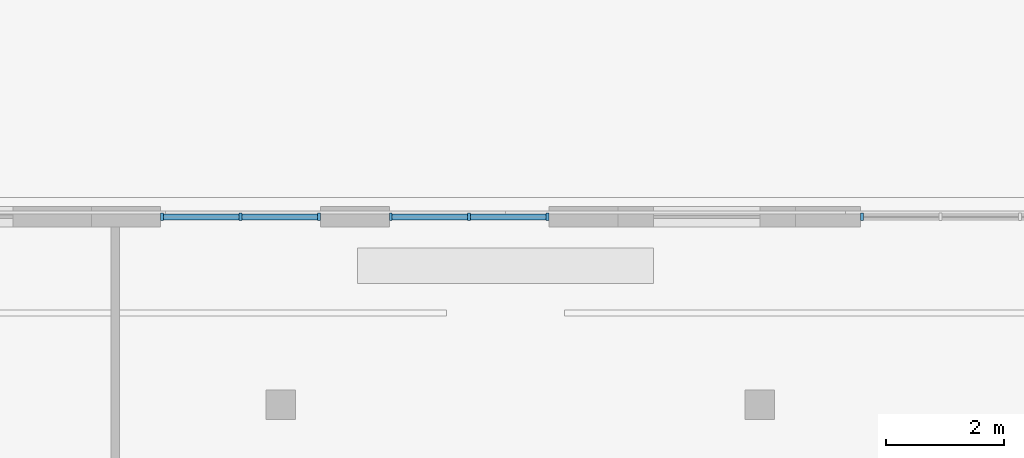
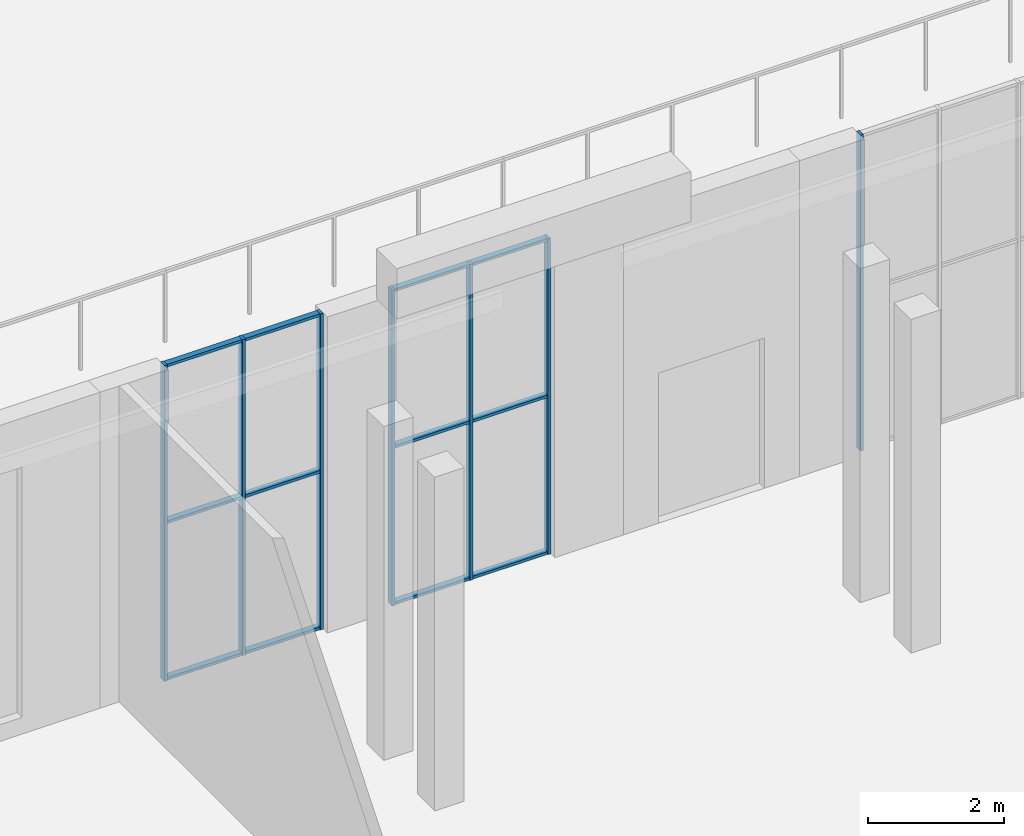
# One storey, part 4 of 32: 19 members, 3 elements without a shape of their own.
"""IFC4 building model written with IfcOpenShell, lengths in metres."""

from ifc_helpers import new_model, si_unit, direction, frame, origin, origin_2d, place, context, subcontext, project, spatial, rectangle, extrude, material, material_profile, profile_set, type_object, element, aggregate, save


model = new_model("IFC4")

# Units and contexts
model_context = context("Model", 3, precision=1e-05, world=origin(), true_north=direction((0.0, 1.0)))
body_context = subcontext(model_context, "Body", "Model", "MODEL_VIEW")
ifc_project = project(units=[si_unit("LENGTHUNIT", "METRE"), si_unit("AREAUNIT", "SQUARE_METRE"), si_unit("VOLUMEUNIT", "CUBIC_METRE"), si_unit("PLANEANGLEUNIT", "RADIAN"), si_unit("MASSUNIT", "GRAM", prefix="KILO")], contexts=[model_context])

# Site, building, storey
site_placement = place(None, origin())
site = spatial("IfcSite", under=ifc_project, at=site_placement, CompositionType="ELEMENT")
building_placement = place(site_placement, origin())
building = spatial("IfcBuilding", under=site, at=building_placement, Name="Torre Triforio", CompositionType="ELEMENT")
storey_placement = place(building_placement, origin())
storey = spatial("IfcBuildingStorey", under=building, at=storey_placement, Name="L00", CompositionType="ELEMENT", Elevation=0.0)

# Curtain wall, member
ifc_material_1 = material(Name="Aluminium mullion and transom frame with clear laminated glass", Category="aluminium")
curtain_wall_type = type_object("IfcCurtainWallType", Name="Garden cafe curtain wall ECW6", PredefinedType="NOTDEFINED", material=ifc_material_1)
curtain_wall_1_placement = place(storey_placement, origin())
curtain_wall_1 = element("IfcCurtainWall", 1, at=curtain_wall_1_placement, inside=storey, type_object=curtain_wall_type, Name="Garden cafe curtain wall L00 18.1.2.4", PredefinedType="NOTDEFINED")
ifc_material_2 = material(Name="Anodised aluminium extrusion", Category="aluminium")
ifc_material_profile_1 = material_profile(ifc_material_2, rectangle(XDim=0.1201171875, YDim=0.050048828125, at=origin_2d()), Name="ECW6 MULLION 50x120")
ifc_profile_set_1 = profile_set([ifc_material_profile_1], Name="Anodised aluminium extrusion")
member_type_1 = type_object("IfcMemberType", Name="ECW6 mullion 50 x 120", PredefinedType="MULLION", material=ifc_profile_set_1)
member_1_placement = place(storey_placement, frame((26.02490234375, 43.675048828125, 0.0), z_axis=(0.0, 0.0, 1.0), x_axis=(0.0, -1.0, 0.0)))
member_1 = element("IfcMember", 2, at=member_1_placement, type_object=member_type_1, Name="ECW6 mullion 5", PredefinedType="MULLION", context=body_context, shape_type="SweptSolid", body=[
    extrude(rectangle(XDim=0.1201171875, YDim=0.050048828125, at=origin_2d()), origin(), (0.0, 0.0, 1.0), 5.679931640625),
])
aggregate(curtain_wall_1, [member_1])

# Curtain wall, members
curtain_wall_2_placement = place(storey_placement, origin())
curtain_wall_2 = element("IfcCurtainWall", 3, at=curtain_wall_2_placement, inside=storey, type_object=curtain_wall_type, Name="Garden cafe curtain wall L00 18.3.1.1", PredefinedType="NOTDEFINED")
member_2_placement = place(storey_placement, frame((20.708251953125, 43.675048828125, 0.0), z_axis=(0.0, 0.0, 1.0), x_axis=(0.0, -1.0, 0.0)))
member_2 = element("IfcMember", 4, at=member_2_placement, type_object=member_type_1, Name="ECW6 mullion 1", PredefinedType="MULLION", context=body_context, shape_type="SweptSolid", body=[
    extrude(rectangle(XDim=0.1201171875, YDim=0.050048828125, at=origin_2d()), origin(), (0.0, 0.0, 1.0), 5.679931640625),
])
member_3_placement = place(storey_placement, frame((19.38330078125, 43.675048828125, 0.0), z_axis=(0.0, 0.0, 1.0), x_axis=(0.0, -1.0, 0.0)))
member_3 = element("IfcMember", 5, at=member_3_placement, type_object=member_type_1, Name="ECW6 mullion 2", PredefinedType="MULLION", context=body_context, shape_type="SweptSolid", body=[
    extrude(rectangle(XDim=0.1201171875, YDim=0.050048828125, at=origin_2d()), origin(), (0.0, 0.0, 1.0), 5.679931640625),
])
member_4_placement = place(storey_placement, frame((18.058349609375, 43.675048828125, 0.0), z_axis=(0.0, 0.0, 1.0), x_axis=(0.0, -1.0, 0.0)))
member_4 = element("IfcMember", 6, at=member_4_placement, type_object=member_type_1, Name="ECW6 mullion 3", PredefinedType="MULLION", context=body_context, shape_type="SweptSolid", body=[
    extrude(rectangle(XDim=0.1201171875, YDim=0.050048828125, at=origin_2d()), origin(), (0.0, 0.0, 1.0), 5.679931640625),
])

curtain_wall_3_placement = place(storey_placement, origin())
curtain_wall_3 = element("IfcCurtainWall", 7, at=curtain_wall_3_placement, inside=storey, type_object=curtain_wall_type, Name="Garden cafe curtain wall L00 18.3.1.2", PredefinedType="NOTDEFINED")
member_5_placement = place(storey_placement, frame((16.841796875, 43.675048828125, 0.0), z_axis=(0.0, 0.0, 1.0), x_axis=(0.0, -1.0, 0.0)))
member_5 = element("IfcMember", 8, at=member_5_placement, type_object=member_type_1, Name="ECW6 mullion 1", PredefinedType="MULLION", context=body_context, shape_type="SweptSolid", body=[
    extrude(rectangle(XDim=0.1201171875, YDim=0.050048828125, at=origin_2d()), origin(), (0.0, 0.0, 1.0), 5.679931640625),
])
member_6_placement = place(storey_placement, frame((15.5166015625, 43.675048828125, 0.0), z_axis=(0.0, 0.0, 1.0), x_axis=(0.0, -1.0, 0.0)))
member_6 = element("IfcMember", 9, at=member_6_placement, type_object=member_type_1, Name="ECW6 mullion 2", PredefinedType="MULLION", context=body_context, shape_type="SweptSolid", body=[
    extrude(rectangle(XDim=0.1201171875, YDim=0.050048828125, at=origin_2d()), origin(), (0.0, 0.0, 1.0), 5.679931640625),
])
member_7_placement = place(storey_placement, frame((14.191650390625, 43.675048828125, 0.0), z_axis=(0.0, 0.0, 1.0), x_axis=(0.0, -1.0, 0.0)))
member_7 = element("IfcMember", 10, at=member_7_placement, type_object=member_type_1, Name="ECW6 mullion 3", PredefinedType="MULLION", context=body_context, shape_type="SweptSolid", body=[
    extrude(rectangle(XDim=0.1201171875, YDim=0.050048828125, at=origin_2d()), origin(), (0.0, 0.0, 1.0), 5.679931640625),
])

# Member
ifc_material_profile_2 = material_profile(ifc_material_2, rectangle(XDim=0.10009765625, YDim=0.050048828125, at=origin_2d()), Name="ECW6 TRANSOM 50x100")
ifc_profile_set_2 = profile_set([ifc_material_profile_2], Name="Anodised aluminium extrusion")
member_type_2 = type_object("IfcMemberType", Name="ECW6 transom 50 x 100", PredefinedType="USERDEFINED", material=ifc_profile_set_2)
member_8_placement = place(storey_placement, frame((20.683349609375, 43.675048828125, 0.02490234375), z_axis=(-1.0, 0.0, 0.0), x_axis=(0.0, -1.0, 0.0)))
member_8 = element("IfcMember", 11, at=member_8_placement, type_object=member_type_2, Name="ECW6 transom 1.1", ObjectType="TRANSOM", PredefinedType="USERDEFINED", context=body_context, shape_type="SweptSolid", body=[
    extrude(rectangle(XDim=0.10009765625, YDim=0.050048828125, at=origin_2d()), origin(), (0.0, 0.0, 1.0), 1.275146484375),
])

member_9_placement = place(storey_placement, frame((20.683349609375, 43.675048828125, 2.840087890625), z_axis=(-1.0, 0.0, 0.0), x_axis=(0.0, -1.0, 0.0)))
member_9 = element("IfcMember", 12, at=member_9_placement, type_object=member_type_2, Name="ECW6 transom 1.2", ObjectType="TRANSOM", PredefinedType="USERDEFINED", context=body_context, shape_type="SweptSolid", body=[
    extrude(rectangle(XDim=0.10009765625, YDim=0.050048828125, at=origin_2d()), origin(), (0.0, 0.0, 1.0), 1.275146484375),
])

member_10_placement = place(storey_placement, frame((20.683349609375, 43.675048828125, 5.655029296875), z_axis=(-1.0, 0.0, 0.0), x_axis=(0.0, -1.0, 0.0)))
member_10 = element("IfcMember", 13, at=member_10_placement, type_object=member_type_2, Name="ECW6 transom 1.3", ObjectType="TRANSOM", PredefinedType="USERDEFINED", context=body_context, shape_type="SweptSolid", body=[
    extrude(rectangle(XDim=0.10009765625, YDim=0.050048828125, at=origin_2d()), origin(), (0.0, 0.0, 1.0), 1.275146484375),
])

member_11_placement = place(storey_placement, frame((19.3583984375, 43.675048828125, 0.02490234375), z_axis=(-1.0, 0.0, 0.0), x_axis=(0.0, -1.0, 0.0)))
member_11 = element("IfcMember", 14, at=member_11_placement, type_object=member_type_2, Name="ECW6 transom 2.1", ObjectType="TRANSOM", PredefinedType="USERDEFINED", context=body_context, shape_type="SweptSolid", body=[
    extrude(rectangle(XDim=0.10009765625, YDim=0.050048828125, at=origin_2d()), origin(), (0.0, 0.0, 1.0), 1.275146484375),
])

member_12_placement = place(storey_placement, frame((19.3583984375, 43.675048828125, 2.840087890625), z_axis=(-1.0, 0.0, 0.0), x_axis=(0.0, -1.0, 0.0)))
member_12 = element("IfcMember", 15, at=member_12_placement, type_object=member_type_2, Name="ECW6 transom 2.2", ObjectType="TRANSOM", PredefinedType="USERDEFINED", context=body_context, shape_type="SweptSolid", body=[
    extrude(rectangle(XDim=0.10009765625, YDim=0.050048828125, at=origin_2d()), origin(), (0.0, 0.0, 1.0), 1.275146484375),
])

member_13_placement = place(storey_placement, frame((19.3583984375, 43.675048828125, 5.655029296875), z_axis=(-1.0, 0.0, 0.0), x_axis=(0.0, -1.0, 0.0)))
member_13 = element("IfcMember", 16, at=member_13_placement, type_object=member_type_2, Name="ECW6 transom 2.3", ObjectType="TRANSOM", PredefinedType="USERDEFINED", context=body_context, shape_type="SweptSolid", body=[
    extrude(rectangle(XDim=0.10009765625, YDim=0.050048828125, at=origin_2d()), origin(), (0.0, 0.0, 1.0), 1.275146484375),
])

aggregate(curtain_wall_2, [member_2, member_3, member_4, member_8, member_9, member_10, member_11, member_12, member_13])

member_14_placement = place(storey_placement, frame((16.816650390625, 43.675048828125, 0.02490234375), z_axis=(-1.0, 0.0, 0.0), x_axis=(0.0, -1.0, 0.0)))
member_14 = element("IfcMember", 17, at=member_14_placement, type_object=member_type_2, Name="ECW6 transom 1.1", ObjectType="TRANSOM", PredefinedType="USERDEFINED", context=body_context, shape_type="SweptSolid", body=[
    extrude(rectangle(XDim=0.10009765625, YDim=0.050048828125, at=origin_2d()), origin(), (0.0, 0.0, 1.0), 1.27490234375),
])

member_15_placement = place(storey_placement, frame((16.816650390625, 43.675048828125, 2.840087890625), z_axis=(-1.0, 0.0, 0.0), x_axis=(0.0, -1.0, 0.0)))
member_15 = element("IfcMember", 18, at=member_15_placement, type_object=member_type_2, Name="ECW6 transom 1.2", ObjectType="TRANSOM", PredefinedType="USERDEFINED", context=body_context, shape_type="SweptSolid", body=[
    extrude(rectangle(XDim=0.10009765625, YDim=0.050048828125, at=origin_2d()), origin(), (0.0, 0.0, 1.0), 1.27490234375),
])

member_16_placement = place(storey_placement, frame((16.816650390625, 43.675048828125, 5.655029296875), z_axis=(-1.0, 0.0, 0.0), x_axis=(0.0, -1.0, 0.0)))
member_16 = element("IfcMember", 19, at=member_16_placement, type_object=member_type_2, Name="ECW6 transom 1.3", ObjectType="TRANSOM", PredefinedType="USERDEFINED", context=body_context, shape_type="SweptSolid", body=[
    extrude(rectangle(XDim=0.10009765625, YDim=0.050048828125, at=origin_2d()), origin(), (0.0, 0.0, 1.0), 1.27490234375),
])

member_17_placement = place(storey_placement, frame((15.49169921875, 43.675048828125, 0.02490234375), z_axis=(-1.0, 0.0, 0.0), x_axis=(0.0, -1.0, 0.0)))
member_17 = element("IfcMember", 20, at=member_17_placement, type_object=member_type_2, Name="ECW6 transom 2.1", ObjectType="TRANSOM", PredefinedType="USERDEFINED", context=body_context, shape_type="SweptSolid", body=[
    extrude(rectangle(XDim=0.10009765625, YDim=0.050048828125, at=origin_2d()), origin(), (0.0, 0.0, 1.0), 1.27490234375),
])

member_18_placement = place(storey_placement, frame((15.49169921875, 43.675048828125, 2.840087890625), z_axis=(-1.0, 0.0, 0.0), x_axis=(0.0, -1.0, 0.0)))
member_18 = element("IfcMember", 21, at=member_18_placement, type_object=member_type_2, Name="ECW6 transom 2.2", ObjectType="TRANSOM", PredefinedType="USERDEFINED", context=body_context, shape_type="SweptSolid", body=[
    extrude(rectangle(XDim=0.10009765625, YDim=0.050048828125, at=origin_2d()), origin(), (0.0, 0.0, 1.0), 1.27490234375),
])

member_19_placement = place(storey_placement, frame((15.49169921875, 43.675048828125, 5.655029296875), z_axis=(-1.0, 0.0, 0.0), x_axis=(0.0, -1.0, 0.0)))
member_19 = element("IfcMember", 22, at=member_19_placement, type_object=member_type_2, Name="ECW6 transom 2.3", ObjectType="TRANSOM", PredefinedType="USERDEFINED", context=body_context, shape_type="SweptSolid", body=[
    extrude(rectangle(XDim=0.10009765625, YDim=0.050048828125, at=origin_2d()), origin(), (0.0, 0.0, 1.0), 1.27490234375),
])

aggregate(curtain_wall_3, [member_5, member_6, member_7, member_14, member_15, member_16, member_17, member_18, member_19])

save(model, "model.ifc")
